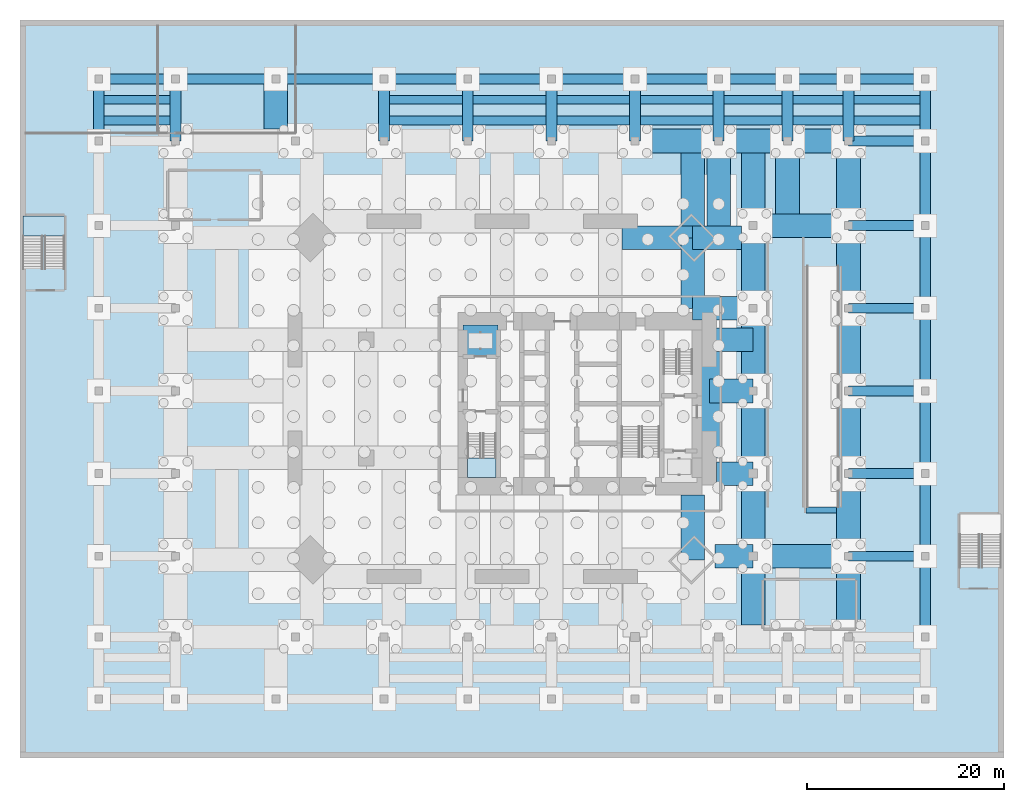
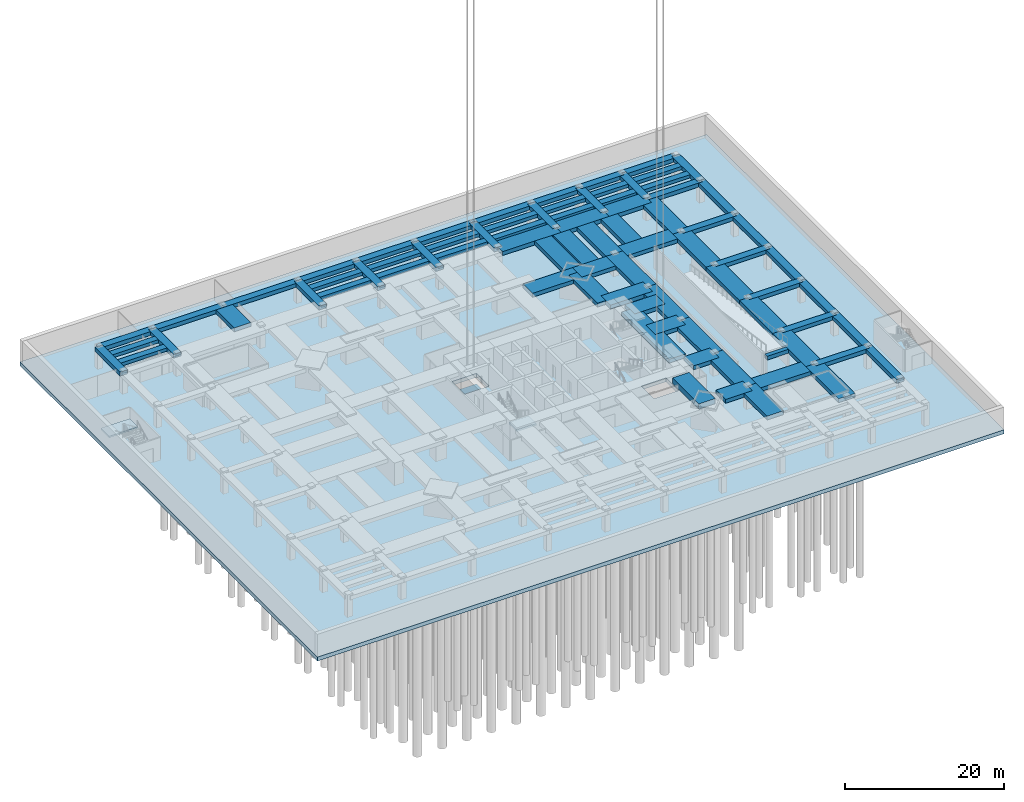
# One storey, part 5 of 15: 80 beams, 4 slabs, 2 elements without a shape of their own.
"""IFC4 building model written with IfcOpenShell, lengths in metres."""

from ifc_helpers import new_model, si_unit, direction, frame, origin, origin_2d, place, context, subcontext, project, spatial, polyline, rectangle, outline, extrude, material, layer, layer_set, material_profile, profile_set, type_object, element, aggregate, save


model = new_model("IFC4")

# Units and contexts
model_context = context("Model", 3, precision=1e-05, world=origin(), true_north=direction((0.0, 1.0)))
body_context = subcontext(model_context, "Body", "Model", "MODEL_VIEW")
ifc_project = project(units=[si_unit("LENGTHUNIT", "METRE"), si_unit("AREAUNIT", "SQUARE_METRE"), si_unit("VOLUMEUNIT", "CUBIC_METRE"), si_unit("PLANEANGLEUNIT", "RADIAN"), si_unit("MASSUNIT", "GRAM", prefix="KILO")], contexts=[model_context])

# Site, building, storey
site_placement = place(None, origin())
site = spatial("IfcSite", under=ifc_project, at=site_placement, CompositionType="ELEMENT")
building_placement = place(site_placement, origin())
building = spatial("IfcBuilding", under=site, at=building_placement, Name="Jalousie Tower", CompositionType="ELEMENT")
storey_placement = place(building_placement, frame((0.0, 0.0, -7.5)))
storey = spatial("IfcBuildingStorey", under=building, at=storey_placement, Name="B2", CompositionType="ELEMENT", Elevation=-7.5)

# Beams
ifc_material_1 = material(Name="Concrete f'c 40 MPa", Category="concrete")
ifc_material_profile_1 = material_profile(ifc_material_1, rectangle(XDim=1.0, YDim=0.60009765625, at=origin_2d()), Name="RC 1000x600")
ifc_profile_set_1 = profile_set([ifc_material_profile_1], Name="Concrete f'c 40 MPa")
beam_type_1 = type_object("IfcBeamType", Name="RC BEAM 1000x600", PredefinedType="BEAM", material=ifc_profile_set_1)
beam_1_placement = place(storey_placement, frame((-17.0, 51.5, 2.9599609375), z_axis=(1.0, 0.0, 0.0), x_axis=(0.0, 1.0, 0.0)))
element("IfcBeam", 1, at=beam_1_placement, inside=storey, type_object=beam_type_1, Name="Girder under B1 1-9 east-west", PredefinedType="BEAM", context=body_context, shape_type="SweptSolid", body=[
    extrude(rectangle(XDim=1.0, YDim=0.60009765625, at=origin_2d()), origin(), (0.0, 0.0, 1.0), 7.800048828125),
])
beam_2_placement = place(storey_placement, frame((-9.199951171875, 51.5, 2.9599609375), z_axis=(1.0, 0.0, 0.0), x_axis=(0.0, 1.0, 0.0)))
element("IfcBeam", 2, at=beam_2_placement, inside=storey, type_object=beam_type_1, Name="Girder under B1 2-9 east-west", PredefinedType="BEAM", context=body_context, shape_type="SweptSolid", body=[
    extrude(rectangle(XDim=1.0, YDim=0.60009765625, at=origin_2d()), origin(), (0.0, 0.0, 1.0), 10.199951171875),
])
beam_3_placement = place(storey_placement, frame((1.0, 51.5, 2.9599609375), z_axis=(1.0, 0.0, 0.0), x_axis=(0.0, 1.0, 0.0)))
element("IfcBeam", 3, at=beam_3_placement, inside=storey, type_object=beam_type_1, Name="Girder under B1 3-9 east-west", PredefinedType="BEAM", context=body_context, shape_type="SweptSolid", body=[
    extrude(rectangle(XDim=1.0, YDim=0.60009765625, at=origin_2d()), origin(), (0.0, 0.0, 1.0), 11.0),
])
for number, where, z_axis, x_axis, name in (
    (4, (12.0, 51.5, 2.9599609375), (1.0, 0.0, 0.0), (0.0, 1.0, 0.0), "Girder under B1 4-9 east-west"),
    (5, (20.5, 51.5, 2.9599609375), (1.0, 0.0, 0.0), (0.0, 1.0, 0.0), "Girder under B1 5-9 east-west"),
    (6, (29.0, 51.5, 2.9599609375), (1.0, 0.0, 0.0), (0.0, 1.0, 0.0), "Girder under B1 6-9 east-west"),
    (7, (37.5, 51.5, 2.9599609375), (1.0, 0.0, 0.0), (0.0, 1.0, 0.0), "Girder under B1 7-9 east-west"),
):
    element("IfcBeam", number, at=place(storey_placement, frame(where, z_axis=z_axis, x_axis=x_axis)), inside=storey, type_object=beam_type_1, Name=name, PredefinedType="BEAM", context=body_context, shape_type="SweptSolid", body=[
        extrude(rectangle(XDim=1.0, YDim=0.60009765625, at=origin_2d()), origin(), (0.0, 0.0, 1.0), 8.5),
    ])
beam_4_placement = place(storey_placement, frame((46.0, 51.5, 2.9599609375), z_axis=(1.0, 0.0, 0.0), x_axis=(0.0, 1.0, 0.0)))
element("IfcBeam", 8, at=beam_4_placement, inside=storey, type_object=beam_type_1, Name="Girder under B1 8-9 east-west", PredefinedType="BEAM", context=body_context, shape_type="SweptSolid", body=[
    extrude(rectangle(XDim=1.0, YDim=0.60009765625, at=origin_2d()), origin(), (0.0, 0.0, 1.0), 7.0),
])
beam_5_placement = place(storey_placement, frame((53.0, 51.5, 2.9599609375), z_axis=(1.0, 0.0, 0.0), x_axis=(0.0, 1.0, 0.0)))
element("IfcBeam", 9, at=beam_5_placement, inside=storey, type_object=beam_type_1, Name="Girder under B1 9-9 east-west", PredefinedType="BEAM", context=body_context, shape_type="SweptSolid", body=[
    extrude(rectangle(XDim=1.0, YDim=0.60009765625, at=origin_2d()), origin(), (0.0, 0.0, 1.0), 6.199951171875),
])
for number, where, z_axis, x_axis, name in (
    (10, (59.199951171875, 3.0, 2.9599609375), (1.0, 0.0, 0.0), (0.0, 1.0, 0.0), "Girder under B1 10-3 east-west"),
    (11, (59.199951171875, 11.39990234375, 2.9599609375), (1.0, 0.0, 0.0), (0.0, 1.0, 0.0), "Girder under B1 10-4 east-west"),
    (12, (59.199951171875, 19.800048828125, 2.9599609375), (1.0, 0.0, 0.0), (0.0, 1.0, 0.0), "Girder under B1 10-5 east-west"),
    (13, (59.199951171875, 28.199951171875, 2.9599609375), (1.0, 0.0, 0.0), (0.0, 1.0, 0.0), "Girder under B1 10-6 east-west"),
    (14, (59.199951171875, 36.60009765625, 2.9599609375), (1.0, 0.0, 0.0), (0.0, 1.0, 0.0), "Girder under B1 10-7 east-west"),
    (15, (59.199951171875, 45.199951171875, 2.9599609375), (1.0, 0.0, 0.0), (0.0, 1.0, 0.0), "Girder under B1 10-8 east-west"),
    (16, (59.199951171875, 51.5, 2.9599609375), (1.0, 0.0, 0.0), (0.0, 1.0, 0.0), "Girder under B1 10-9 east-west"),
):
    element("IfcBeam", number, at=place(storey_placement, frame(where, z_axis=z_axis, x_axis=x_axis)), inside=storey, type_object=beam_type_1, Name=name, PredefinedType="BEAM", context=body_context, shape_type="SweptSolid", body=[
        extrude(rectangle(XDim=1.0, YDim=0.60009765625, at=origin_2d()), origin(), (0.0, 0.0, 1.0), 7.800048828125),
    ])
ifc_material_2 = material(Name="Concrete f'c 40 MPa", Category="concrete")
ifc_material_profile_2 = material_profile(ifc_material_2, rectangle(XDim=1.10009765625, YDim=0.60009765625, at=origin_2d()), Name="RC 1100x600")
ifc_profile_set_2 = profile_set([ifc_material_profile_2], Name="Concrete f'c 40 MPa")
beam_type_2 = type_object("IfcBeamType", Name="RC BEAM 1100x600", PredefinedType="BEAM", material=ifc_profile_set_2)
for number, where, z_axis, x_axis, name in (
    (17, (-17.0, 45.199951171875, 2.9599609375), (0.0, 1.0, 0.0), (-1.0, 0.0, 0.0), "Girder under B1 1-8 north-south"),
    (18, (-9.199951171875, 45.199951171875, 2.9599609375), (0.0, 1.0, 0.0), (-1.0, 0.0, 0.0), "Girder under B1 2-8 north-south"),
    (19, (12.0, 45.199951171875, 2.9599609375), (0.0, 1.0, 0.0), (-1.0, 0.0, 0.0), "Girder under B1 4-8 north-south"),
    (20, (20.5, 45.199951171875, 2.9599609375), (0.0, 1.0, 0.0), (-1.0, 0.0, 0.0), "Girder under B1 5-8 north-south"),
    (21, (29.0, 45.199951171875, 2.9599609375), (0.0, 1.0, 0.0), (-1.0, 0.0, 0.0), "Girder under B1 6-8 north-south"),
    (22, (37.5, 45.199951171875, 2.9599609375), (0.0, 1.0, 0.0), (-1.0, 0.0, 0.0), "Girder under B1 7-8 north-south"),
    (23, (46.0, 45.199951171875, 2.9599609375), (0.0, 1.0, 0.0), (-1.0, 0.0, 0.0), "Girder under B1 8-8 north-south"),
    (24, (53.0, 45.199951171875, 2.9599609375), (0.0, 1.0, 0.0), (-1.0, 0.0, 0.0), "Girder under B1 9-8 north-south"),
    (25, (59.199951171875, 45.199951171875, 2.9599609375), (0.0, 1.0, 0.0), (-1.0, 0.0, 0.0), "Girder under B1 10-8 north-south"),
):
    element("IfcBeam", number, at=place(storey_placement, frame(where, z_axis=z_axis, x_axis=x_axis)), inside=storey, type_object=beam_type_2, Name=name, PredefinedType="BEAM", context=body_context, shape_type="SweptSolid", body=[
        extrude(rectangle(XDim=1.10009765625, YDim=0.60009765625, at=origin_2d()), origin(), (0.0, 0.0, 1.0), 6.300048828125),
    ])
beam_6_placement = place(storey_placement, frame((67.0, -5.199951171875, 2.9599609375), z_axis=(0.0, 1.0, 0.0), x_axis=(-1.0, 0.0, 0.0)))
element("IfcBeam", 26, at=beam_6_placement, inside=storey, type_object=beam_type_2, Name="Girder under B1 11-2 north-south", PredefinedType="BEAM", context=body_context, shape_type="SweptSolid", body=[
    extrude(rectangle(XDim=1.10009765625, YDim=0.60009765625, at=origin_2d()), origin(), (0.0, 0.0, 1.0), 8.199951171875),
])
beam_7_placement = place(storey_placement, frame((67.0, 3.0, 2.9599609375), z_axis=(0.0, 1.0, 0.0), x_axis=(-1.0, 0.0, 0.0)))
element("IfcBeam", 27, at=beam_7_placement, inside=storey, type_object=beam_type_2, Name="Girder under B1 11-3 north-south", PredefinedType="BEAM", context=body_context, shape_type="SweptSolid", body=[
    extrude(rectangle(XDim=1.10009765625, YDim=0.60009765625, at=origin_2d()), origin(), (0.0, 0.0, 1.0), 8.39990234375),
])
beam_8_placement = place(storey_placement, frame((67.0, 11.39990234375, 2.9599609375), z_axis=(0.0, 1.0, 0.0), x_axis=(-1.0, 0.0, 0.0)))
element("IfcBeam", 28, at=beam_8_placement, inside=storey, type_object=beam_type_2, Name="Girder under B1 11-4 north-south", PredefinedType="BEAM", context=body_context, shape_type="SweptSolid", body=[
    extrude(rectangle(XDim=1.10009765625, YDim=0.60009765625, at=origin_2d()), origin(), (0.0, 0.0, 1.0), 8.400146484375),
])
beam_9_placement = place(storey_placement, frame((67.0, 19.800048828125, 2.9599609375), z_axis=(0.0, 1.0, 0.0), x_axis=(-1.0, 0.0, 0.0)))
element("IfcBeam", 29, at=beam_9_placement, inside=storey, type_object=beam_type_2, Name="Girder under B1 11-5 north-south", PredefinedType="BEAM", context=body_context, shape_type="SweptSolid", body=[
    extrude(rectangle(XDim=1.10009765625, YDim=0.60009765625, at=origin_2d()), origin(), (0.0, 0.0, 1.0), 8.39990234375),
])
beam_10_placement = place(storey_placement, frame((67.0, 28.199951171875, 2.9599609375), z_axis=(0.0, 1.0, 0.0), x_axis=(-1.0, 0.0, 0.0)))
element("IfcBeam", 30, at=beam_10_placement, inside=storey, type_object=beam_type_2, Name="Girder under B1 11-6 north-south", PredefinedType="BEAM", context=body_context, shape_type="SweptSolid", body=[
    extrude(rectangle(XDim=1.10009765625, YDim=0.60009765625, at=origin_2d()), origin(), (0.0, 0.0, 1.0), 8.400146484375),
])
beam_11_placement = place(storey_placement, frame((67.0, 36.60009765625, 2.9599609375), z_axis=(0.0, 1.0, 0.0), x_axis=(-1.0, 0.0, 0.0)))
element("IfcBeam", 31, at=beam_11_placement, inside=storey, type_object=beam_type_2, Name="Girder under B1 11-7 north-south", PredefinedType="BEAM", context=body_context, shape_type="SweptSolid", body=[
    extrude(rectangle(XDim=1.10009765625, YDim=0.60009765625, at=origin_2d()), origin(), (0.0, 0.0, 1.0), 8.599853515625),
])
beam_12_placement = place(storey_placement, frame((67.0, 45.199951171875, 2.9599609375), z_axis=(0.0, 1.0, 0.0), x_axis=(-1.0, 0.0, 0.0)))
element("IfcBeam", 32, at=beam_12_placement, inside=storey, type_object=beam_type_2, Name="Girder under B1 11-8 north-south", PredefinedType="BEAM", context=body_context, shape_type="SweptSolid", body=[
    extrude(rectangle(XDim=1.10009765625, YDim=0.60009765625, at=origin_2d()), origin(), (0.0, 0.0, 1.0), 6.300048828125),
])
ifc_material_3 = material(Name="Concrete f'c 40 MPa", Category="concrete")
ifc_material_profile_3 = material_profile(ifc_material_3, rectangle(XDim=2.39990234375, YDim=0.60009765625, at=origin_2d()), Name="RC 2400x600")
ifc_profile_set_3 = profile_set([ifc_material_profile_3], Name="Concrete f'c 40 MPa")
beam_type_3 = type_object("IfcBeamType", Name="RC BEAM 2400x600", PredefinedType="BEAM", material=ifc_profile_set_3)
beam_13_placement = place(storey_placement, frame((45.050048828125, 13.0, 2.9599609375), z_axis=(0.0, 1.0, 0.0), x_axis=(-1.0, 0.0, 0.0)))
element("IfcBeam", 33, at=beam_13_placement, inside=storey, type_object=beam_type_3, Name="Floor band beam under B1", PredefinedType="BEAM", context=body_context, shape_type="SweptSolid", body=[
    extrude(rectangle(XDim=2.39990234375, YDim=0.60009765625, at=origin_2d()), origin(), (0.0, 0.0, 1.0), 12.0),
])
beam_14_placement = place(storey_placement, frame((37.5, 45.199951171875, 2.9599609375), z_axis=(1.0, 0.0, 0.0), x_axis=(0.0, 1.0, 0.0)))
element("IfcBeam", 34, at=beam_14_placement, inside=storey, type_object=beam_type_3, Name="Floor band beam under B1", PredefinedType="BEAM", context=body_context, shape_type="SweptSolid", body=[
    extrude(rectangle(XDim=2.39990234375, YDim=0.60009765625, at=origin_2d()), origin(), (0.0, 0.0, 1.0), 8.5),
])
beam_15_placement = place(storey_placement, frame((43.36865234375, 35.36865234375, 2.9599609375), z_axis=(0.0, -1.0, 0.0), x_axis=(1.0, 0.0, 0.0)))
element("IfcBeam", 35, at=beam_15_placement, inside=storey, type_object=beam_type_3, Name="Floor band beam under B1", PredefinedType="BEAM", context=body_context, shape_type="SweptSolid", body=[
    extrude(rectangle(XDim=2.39990234375, YDim=0.60009765625, at=origin_2d()), origin(), (0.0, 0.0, 1.0), 7.168701171875),
])
beam_16_placement = place(storey_placement, frame((46.0, 45.199951171875, 2.9599609375), z_axis=(1.0, 0.0, 0.0), x_axis=(0.0, 1.0, 0.0)))
element("IfcBeam", 36, at=beam_16_placement, inside=storey, type_object=beam_type_3, Name="Floor band beam under B1", PredefinedType="BEAM", context=body_context, shape_type="SweptSolid", body=[
    extrude(rectangle(XDim=2.39990234375, YDim=0.60009765625, at=origin_2d()), origin(), (0.0, 0.0, 1.0), 7.0),
])
beam_17_placement = place(storey_placement, frame((49.5, 3.0, 2.9599609375), z_axis=(1.0, 0.0, 0.0), x_axis=(0.0, 1.0, 0.0)))
element("IfcBeam", 37, at=beam_17_placement, inside=storey, type_object=beam_type_3, Name="Floor band beam under B1", PredefinedType="BEAM", context=body_context, shape_type="SweptSolid", body=[
    extrude(rectangle(XDim=2.39990234375, YDim=0.60009765625, at=origin_2d()), origin(), (0.0, 0.0, 1.0), 9.699951171875),
])
beam_18_placement = place(storey_placement, frame((49.5, 3.0, 2.9599609375), z_axis=(0.0, 1.0, 0.0), x_axis=(-1.0, 0.0, 0.0)))
element("IfcBeam", 38, at=beam_18_placement, inside=storey, type_object=beam_type_3, Name="Floor band beam under B1", PredefinedType="BEAM", context=body_context, shape_type="SweptSolid", body=[
    extrude(rectangle(XDim=2.39990234375, YDim=0.60009765625, at=origin_2d()), origin(), (0.0, 0.0, 1.0), 8.39990234375),
])
beam_19_placement = place(storey_placement, frame((49.5, 11.39990234375, 2.9599609375), z_axis=(-1.0, 0.0, 0.0), x_axis=(0.0, -1.0, 0.0)))
element("IfcBeam", 39, at=beam_19_placement, inside=storey, type_object=beam_type_3, Name="Floor band beam under B1", PredefinedType="BEAM", context=body_context, shape_type="SweptSolid", body=[
    extrude(rectangle(XDim=2.39990234375, YDim=0.60009765625, at=origin_2d()), origin(), (0.0, 0.0, 1.0), 3.72509765625),
])
beam_20_placement = place(storey_placement, frame((49.5, 11.39990234375, 2.9599609375), z_axis=(0.0, 1.0, 0.0), x_axis=(-1.0, 0.0, 0.0)))
element("IfcBeam", 40, at=beam_20_placement, inside=storey, type_object=beam_type_3, Name="Floor band beam under B1", PredefinedType="BEAM", context=body_context, shape_type="SweptSolid", body=[
    extrude(rectangle(XDim=2.39990234375, YDim=0.60009765625, at=origin_2d()), origin(), (0.0, 0.0, 1.0), 8.400146484375),
])
beam_21_placement = place(storey_placement, frame((49.5, 19.800048828125, 2.9599609375), z_axis=(-1.0, 0.0, 0.0), x_axis=(0.0, -1.0, 0.0)))
element("IfcBeam", 41, at=beam_21_placement, inside=storey, type_object=beam_type_3, Name="Floor band beam under B1", PredefinedType="BEAM", context=body_context, shape_type="SweptSolid", body=[
    extrude(rectangle(XDim=2.39990234375, YDim=0.60009765625, at=origin_2d()), origin(), (0.0, 0.0, 1.0), 4.449951171875),
])
beam_22_placement = place(storey_placement, frame((49.5, 19.800048828125, 2.9599609375), z_axis=(0.0, 1.0, 0.0), x_axis=(-1.0, 0.0, 0.0)))
element("IfcBeam", 42, at=beam_22_placement, inside=storey, type_object=beam_type_3, Name="Floor band beam under B1", PredefinedType="BEAM", context=body_context, shape_type="SweptSolid", body=[
    extrude(rectangle(XDim=2.39990234375, YDim=0.60009765625, at=origin_2d()), origin(), (0.0, 0.0, 1.0), 8.39990234375),
])
beam_23_placement = place(storey_placement, frame((49.5, 28.199951171875, 2.9599609375), z_axis=(0.0, 1.0, 0.0), x_axis=(-1.0, 0.0, 0.0)))
element("IfcBeam", 43, at=beam_23_placement, inside=storey, type_object=beam_type_3, Name="Floor band beam under B1", PredefinedType="BEAM", context=body_context, shape_type="SweptSolid", body=[
    extrude(rectangle(XDim=2.39990234375, YDim=0.60009765625, at=origin_2d()), origin(), (0.0, 0.0, 1.0), 8.400146484375),
])
beam_24_placement = place(storey_placement, frame((49.5, 36.60009765625, 2.9599609375), z_axis=(1.0, 0.0, 0.0), x_axis=(0.0, 1.0, 0.0)))
element("IfcBeam", 44, at=beam_24_placement, inside=storey, type_object=beam_type_3, Name="Floor band beam under B1", PredefinedType="BEAM", context=body_context, shape_type="SweptSolid", body=[
    extrude(rectangle(XDim=2.39990234375, YDim=0.60009765625, at=origin_2d()), origin(), (0.0, 0.0, 1.0), 9.699951171875),
])
beam_25_placement = place(storey_placement, frame((53.0, 45.199951171875, 2.9599609375), z_axis=(1.0, 0.0, 0.0), x_axis=(0.0, 1.0, 0.0)))
element("IfcBeam", 45, at=beam_25_placement, inside=storey, type_object=beam_type_3, Name="Floor band beam under B1", PredefinedType="BEAM", context=body_context, shape_type="SweptSolid", body=[
    extrude(rectangle(XDim=2.39990234375, YDim=0.60009765625, at=origin_2d()), origin(), (0.0, 0.0, 1.0), 6.199951171875),
])
beam_26_placement = place(storey_placement, frame((59.199951171875, -5.199951171875, 2.9599609375), z_axis=(0.0, 1.0, 0.0), x_axis=(-1.0, 0.0, 0.0)))
element("IfcBeam", 46, at=beam_26_placement, inside=storey, type_object=beam_type_3, Name="Floor band beam under B1", PredefinedType="BEAM", context=body_context, shape_type="SweptSolid", body=[
    extrude(rectangle(XDim=2.39990234375, YDim=0.60009765625, at=origin_2d()), origin(), (0.0, 0.0, 1.0), 8.199951171875),
])
beam_27_placement = place(storey_placement, frame((59.199951171875, 3.0, 2.9599609375), z_axis=(0.0, 1.0, 0.0), x_axis=(-1.0, 0.0, 0.0)))
element("IfcBeam", 47, at=beam_27_placement, inside=storey, type_object=beam_type_3, Name="Floor band beam under B1", PredefinedType="BEAM", context=body_context, shape_type="SweptSolid", body=[
    extrude(rectangle(XDim=2.39990234375, YDim=0.60009765625, at=origin_2d()), origin(), (0.0, 0.0, 1.0), 8.39990234375),
])
beam_28_placement = place(storey_placement, frame((59.199951171875, 11.39990234375, 2.9599609375), z_axis=(0.0, 1.0, 0.0), x_axis=(-1.0, 0.0, 0.0)))
element("IfcBeam", 48, at=beam_28_placement, inside=storey, type_object=beam_type_3, Name="Floor band beam under B1", PredefinedType="BEAM", context=body_context, shape_type="SweptSolid", body=[
    extrude(rectangle(XDim=2.39990234375, YDim=0.60009765625, at=origin_2d()), origin(), (0.0, 0.0, 1.0), 8.400146484375),
])
beam_29_placement = place(storey_placement, frame((59.199951171875, 19.800048828125, 2.9599609375), z_axis=(0.0, 1.0, 0.0), x_axis=(-1.0, 0.0, 0.0)))
element("IfcBeam", 49, at=beam_29_placement, inside=storey, type_object=beam_type_3, Name="Floor band beam under B1", PredefinedType="BEAM", context=body_context, shape_type="SweptSolid", body=[
    extrude(rectangle(XDim=2.39990234375, YDim=0.60009765625, at=origin_2d()), origin(), (0.0, 0.0, 1.0), 8.39990234375),
])
beam_30_placement = place(storey_placement, frame((59.199951171875, 28.199951171875, 2.9599609375), z_axis=(0.0, 1.0, 0.0), x_axis=(-1.0, 0.0, 0.0)))
element("IfcBeam", 50, at=beam_30_placement, inside=storey, type_object=beam_type_3, Name="Floor band beam under B1", PredefinedType="BEAM", context=body_context, shape_type="SweptSolid", body=[
    extrude(rectangle(XDim=2.39990234375, YDim=0.60009765625, at=origin_2d()), origin(), (0.0, 0.0, 1.0), 8.400146484375),
])
beam_31_placement = place(storey_placement, frame((59.199951171875, 36.60009765625, 2.9599609375), z_axis=(0.0, 1.0, 0.0), x_axis=(-1.0, 0.0, 0.0)))
element("IfcBeam", 51, at=beam_31_placement, inside=storey, type_object=beam_type_3, Name="Floor band beam under B1", PredefinedType="BEAM", context=body_context, shape_type="SweptSolid", body=[
    extrude(rectangle(XDim=2.39990234375, YDim=0.60009765625, at=origin_2d()), origin(), (0.0, 0.0, 1.0), 8.599853515625),
])
beam_32_placement = place(storey_placement, frame((1.0, 51.5, 2.9599609375), z_axis=(0.0, -1.0, 0.0), x_axis=(1.0, 0.0, 0.0)))
element("IfcBeam", 52, at=beam_32_placement, inside=storey, type_object=beam_type_3, Name="Floor band beam under B1", PredefinedType="BEAM", context=body_context, shape_type="SweptSolid", body=[
    extrude(rectangle(XDim=2.39990234375, YDim=0.60009765625, at=origin_2d()), origin(), (0.0, 0.0, 1.0), 5.10009765625),
])
beam_33_placement = place(storey_placement, frame((43.36865234375, 35.36865234375, 2.9599609375), z_axis=(1.0, 0.0, 0.0), x_axis=(0.0, 1.0, 0.0)))
element("IfcBeam", 53, at=beam_33_placement, inside=storey, type_object=beam_type_3, Name="Floor band beam under B1", PredefinedType="BEAM", context=body_context, shape_type="SweptSolid", body=[
    extrude(rectangle(XDim=2.39990234375, YDim=0.60009765625, at=origin_2d()), origin(), (0.0, 0.0, 1.0), 4.931396484375),
])
beam_34_placement = place(storey_placement, frame((43.36865234375, 35.36865234375, 2.9599609375), z_axis=(-1.0, 0.0, 0.0), x_axis=(0.0, -1.0, 0.0)))
element("IfcBeam", 54, at=beam_34_placement, inside=storey, type_object=beam_type_3, Name="Floor band beam under B1", PredefinedType="BEAM", context=body_context, shape_type="SweptSolid", body=[
    extrude(rectangle(XDim=2.39990234375, YDim=0.60009765625, at=origin_2d()), origin(), (0.0, 0.0, 1.0), 7.168701171875),
])
beam_35_placement = place(storey_placement, frame((43.36865234375, 35.36865234375, 2.9599609375), z_axis=(0.0, 1.0, 0.0), x_axis=(-1.0, 0.0, 0.0)))
element("IfcBeam", 55, at=beam_35_placement, inside=storey, type_object=beam_type_3, Name="Floor band beam under B1", PredefinedType="BEAM", context=body_context, shape_type="SweptSolid", body=[
    extrude(rectangle(XDim=2.39990234375, YDim=0.60009765625, at=origin_2d()), origin(), (0.0, 0.0, 1.0), 8.63134765625),
])
beam_36_placement = place(storey_placement, frame((45.050048828125, 25.0, 2.9599609375), z_axis=(1.0, 0.0, 0.0), x_axis=(0.0, 1.0, 0.0)))
element("IfcBeam", 56, at=beam_36_placement, inside=storey, type_object=beam_type_3, Name="Floor band beam under B1", PredefinedType="BEAM", context=body_context, shape_type="SweptSolid", body=[
    extrude(rectangle(XDim=2.39990234375, YDim=0.60009765625, at=origin_2d()), origin(), (0.0, 0.0, 1.0), 4.449951171875),
])
beam_37_placement = place(storey_placement, frame((46.0, 45.199951171875, 2.9599609375), z_axis=(0.0, -1.0, 0.0), x_axis=(1.0, 0.0, 0.0)))
element("IfcBeam", 57, at=beam_37_placement, inside=storey, type_object=beam_type_3, Name="Floor band beam under B1", PredefinedType="BEAM", context=body_context, shape_type="SweptSolid", body=[
    extrude(rectangle(XDim=2.39990234375, YDim=0.60009765625, at=origin_2d()), origin(), (0.0, 0.0, 1.0), 8.63134765625),
])
beam_38_placement = place(storey_placement, frame((49.5, 3.0, 2.9599609375), z_axis=(-1.0, 0.0, 0.0), x_axis=(0.0, -1.0, 0.0)))
element("IfcBeam", 58, at=beam_38_placement, inside=storey, type_object=beam_type_3, Name="Floor band beam under B1", PredefinedType="BEAM", context=body_context, shape_type="SweptSolid", body=[
    extrude(rectangle(XDim=2.39990234375, YDim=0.60009765625, at=origin_2d()), origin(), (0.0, 0.0, 1.0), 3.8837890625),
])
beam_39_placement = place(storey_placement, frame((49.5, 3.0, 2.9599609375), z_axis=(0.0, -1.0, 0.0), x_axis=(1.0, 0.0, 0.0)))
element("IfcBeam", 59, at=beam_39_placement, inside=storey, type_object=beam_type_3, Name="Floor band beam under B1", PredefinedType="BEAM", context=body_context, shape_type="SweptSolid", body=[
    extrude(rectangle(XDim=2.39990234375, YDim=0.60009765625, at=origin_2d()), origin(), (0.0, 0.0, 1.0), 7.0),
])
beam_40_placement = place(storey_placement, frame((49.5, 28.199951171875, 2.9599609375), z_axis=(-1.0, 0.0, 0.0), x_axis=(0.0, -1.0, 0.0)))
element("IfcBeam", 60, at=beam_40_placement, inside=storey, type_object=beam_type_3, Name="Floor band beam under B1", PredefinedType="BEAM", context=body_context, shape_type="SweptSolid", body=[
    extrude(rectangle(XDim=2.39990234375, YDim=0.60009765625, at=origin_2d()), origin(), (0.0, 0.0, 1.0), 6.13134765625),
])
for number, where, z_axis, x_axis, name in (
    (61, (49.5, 36.60009765625, 2.9599609375), (0.0, 1.0, 0.0), (-1.0, 0.0, 0.0), "Floor band beam under B1"),
    (62, (53.0, 45.199951171875, 2.9599609375), (0.0, -1.0, 0.0), (1.0, 0.0, 0.0), "Floor band beam under B1"),
):
    element("IfcBeam", number, at=place(storey_placement, frame(where, z_axis=z_axis, x_axis=x_axis)), inside=storey, type_object=beam_type_3, Name=name, PredefinedType="BEAM", context=body_context, shape_type="SweptSolid", body=[
        extrude(rectangle(XDim=2.39990234375, YDim=0.60009765625, at=origin_2d()), origin(), (0.0, 0.0, 1.0), 7.39990234375),
    ])
ifc_material_4 = material(Name="Concrete f'c 40 MPa", Category="concrete")
ifc_material_profile_4 = material_profile(ifc_material_4, rectangle(XDim=2.39990234375, YDim=0.800048828125, at=origin_2d()), Name="RC 2400x800")
ifc_profile_set_4 = profile_set([ifc_material_profile_4], Name="Concrete f'c 40 MPa")
beam_type_4 = type_object("IfcBeamType", Name="RC BEAM 2400x800", PredefinedType="BEAM", material=ifc_profile_set_4)
beam_41_placement = place(storey_placement, frame((43.36865234375, 2.63134765625, 2.860107421875), z_axis=(0.0, 1.0, 0.0), x_axis=(-1.0, 0.0, 0.0)))
element("IfcBeam", 63, at=beam_41_placement, inside=storey, type_object=beam_type_4, Name="Floor band beam under B1", PredefinedType="BEAM", context=body_context, shape_type="SweptSolid", body=[
    extrude(rectangle(XDim=2.39990234375, YDim=0.800048828125, at=origin_2d()), origin(), (0.0, 0.0, 1.0), 6.61865234375),
])
ifc_material_5 = material(Name="Concrete f'c 40 MPa", Category="concrete")
ifc_material_profile_5 = material_profile(ifc_material_5, rectangle(XDim=0.60009765625, YDim=0.60009765625, at=origin_2d()), Name="RC 600x600")
ifc_profile_set_5 = profile_set([ifc_material_profile_5], Name="Concrete f'c 40 MPa")
beam_type_5 = type_object("IfcBeamType", Name="RC BEAM 600x600", PredefinedType="BEAM", material=ifc_profile_set_5)
beam_42_placement = place(storey_placement, frame((54.89990234375, 7.699951171875, 2.9599609375), z_axis=(1.0, 0.0, 0.0), x_axis=(0.0, 1.0, 0.0)))
element("IfcBeam", 64, at=beam_42_placement, inside=storey, type_object=beam_type_5, Name="Ramp head beam 2", PredefinedType="BEAM", context=body_context, shape_type="SweptSolid", body=[
    extrude(rectangle(XDim=0.60009765625, YDim=0.60009765625, at=origin_2d()), origin(), (0.0, 0.0, 1.0), 3.10009765625),
])
ifc_material_6 = material(Name="Concrete f'c 40 MPa", Category="concrete")
ifc_material_profile_6 = material_profile(ifc_material_6, rectangle(XDim=0.89990234375, YDim=0.5, at=origin_2d()), Name="RC 900x500")
ifc_profile_set_6 = profile_set([ifc_material_profile_6], Name="Concrete f'c 40 MPa")
beam_type_6 = type_object("IfcBeamType", Name="RC BEAM 900x500", PredefinedType="BEAM", material=ifc_profile_set_6)
for number, where, z_axis, x_axis, name in (
    (65, (-16.449951171875, 47.300048828125, 3.010009765625), (1.0, 0.0, 0.0), (0.0, 1.0, 0.0), "Secondary beam 1 under B1 bay 1-8"),
    (66, (-16.449951171875, 49.39990234375, 3.010009765625), (1.0, 0.0, 0.0), (0.0, 1.0, 0.0), "Secondary beam 2 under B1 bay 1-8"),
):
    element("IfcBeam", number, at=place(storey_placement, frame(where, z_axis=z_axis, x_axis=x_axis)), inside=storey, type_object=beam_type_6, Name=name, PredefinedType="BEAM", context=body_context, shape_type="SweptSolid", body=[
        extrude(rectangle(XDim=0.89990234375, YDim=0.5, at=origin_2d()), origin(), (0.0, 0.0, 1.0), 6.699951171875),
    ])
for number, where, z_axis, x_axis, name in (
    (67, (12.550048828125, 47.300048828125, 3.010009765625), (1.0, 0.0, 0.0), (0.0, 1.0, 0.0), "Secondary beam 1 under B1 bay 4-8"),
    (68, (12.550048828125, 49.39990234375, 3.010009765625), (1.0, 0.0, 0.0), (0.0, 1.0, 0.0), "Secondary beam 2 under B1 bay 4-8"),
    (69, (21.050048828125, 47.300048828125, 3.010009765625), (1.0, 0.0, 0.0), (0.0, 1.0, 0.0), "Secondary beam 1 under B1 bay 5-8"),
    (70, (21.050048828125, 49.39990234375, 3.010009765625), (1.0, 0.0, 0.0), (0.0, 1.0, 0.0), "Secondary beam 2 under B1 bay 5-8"),
    (71, (29.550048828125, 47.300048828125, 3.010009765625), (1.0, 0.0, 0.0), (0.0, 1.0, 0.0), "Secondary beam 1 under B1 bay 6-8"),
    (72, (29.550048828125, 49.39990234375, 3.010009765625), (1.0, 0.0, 0.0), (0.0, 1.0, 0.0), "Secondary beam 2 under B1 bay 6-8"),
    (73, (38.050048828125, 47.300048828125, 3.010009765625), (1.0, 0.0, 0.0), (0.0, 1.0, 0.0), "Secondary beam 1 under B1 bay 7-8"),
    (74, (38.050048828125, 49.39990234375, 3.010009765625), (1.0, 0.0, 0.0), (0.0, 1.0, 0.0), "Secondary beam 2 under B1 bay 7-8"),
):
    element("IfcBeam", number, at=place(storey_placement, frame(where, z_axis=z_axis, x_axis=x_axis)), inside=storey, type_object=beam_type_6, Name=name, PredefinedType="BEAM", context=body_context, shape_type="SweptSolid", body=[
        extrude(rectangle(XDim=0.89990234375, YDim=0.5, at=origin_2d()), origin(), (0.0, 0.0, 1.0), 7.39990234375),
    ])
for number, where, z_axis, x_axis, name in (
    (75, (46.550048828125, 47.300048828125, 3.010009765625), (1.0, 0.0, 0.0), (0.0, 1.0, 0.0), "Secondary beam 1 under B1 bay 8-8"),
    (76, (46.550048828125, 49.39990234375, 3.010009765625), (1.0, 0.0, 0.0), (0.0, 1.0, 0.0), "Secondary beam 2 under B1 bay 8-8"),
):
    element("IfcBeam", number, at=place(storey_placement, frame(where, z_axis=z_axis, x_axis=x_axis)), inside=storey, type_object=beam_type_6, Name=name, PredefinedType="BEAM", context=body_context, shape_type="SweptSolid", body=[
        extrude(rectangle(XDim=0.89990234375, YDim=0.5, at=origin_2d()), origin(), (0.0, 0.0, 1.0), 5.89990234375),
    ])
for number, where, z_axis, x_axis, name in (
    (77, (53.550048828125, 47.300048828125, 3.010009765625), (1.0, 0.0, 0.0), (0.0, 1.0, 0.0), "Secondary beam 1 under B1 bay 9-8"),
    (78, (53.550048828125, 49.39990234375, 3.010009765625), (1.0, 0.0, 0.0), (0.0, 1.0, 0.0), "Secondary beam 2 under B1 bay 9-8"),
):
    element("IfcBeam", number, at=place(storey_placement, frame(where, z_axis=z_axis, x_axis=x_axis)), inside=storey, type_object=beam_type_6, Name=name, PredefinedType="BEAM", context=body_context, shape_type="SweptSolid", body=[
        extrude(rectangle(XDim=0.89990234375, YDim=0.5, at=origin_2d()), origin(), (0.0, 0.0, 1.0), 5.099853515625),
    ])
for number, where, z_axis, x_axis, name in (
    (79, (59.75, 47.300048828125, 3.010009765625), (1.0, 0.0, 0.0), (0.0, 1.0, 0.0), "Secondary beam 1 under B1 bay 10-8"),
    (80, (59.75, 49.39990234375, 3.010009765625), (1.0, 0.0, 0.0), (0.0, 1.0, 0.0), "Secondary beam 2 under B1 bay 10-8"),
):
    element("IfcBeam", number, at=place(storey_placement, frame(where, z_axis=z_axis, x_axis=x_axis)), inside=storey, type_object=beam_type_6, Name=name, PredefinedType="BEAM", context=body_context, shape_type="SweptSolid", body=[
        extrude(rectangle(XDim=0.89990234375, YDim=0.5, at=origin_2d()), origin(), (0.0, 0.0, 1.0), 6.699951171875),
    ])

# Slabs
ifc_material_7 = material(Name="Concrete f'c 40 MPa", Category="concrete")
ifc_layer_1 = layer(ifc_material_7, 0.60009765625)
ifc_layer_set_1 = layer_set([ifc_layer_1], Name="Concrete f'c 40 MPa")
slab_type_1 = type_object("IfcSlabType", Name="BASE SLAB 600", PredefinedType="BASESLAB", material=ifc_layer_set_1)
slab_1_placement = place(storey_placement, frame((0.0, 0.0, -0.60009765625)))
element("IfcSlab", 81, at=slab_1_placement, inside=storey, type_object=slab_type_1, Name="B2 base slab", PredefinedType="BASESLAB", context=body_context, shape_type="SweptSolid", body=[
    extrude(outline(polyline([(-25.0, -17.5), (75.0, -17.5), (75.0, 57.5), (-25.0, 57.5), (-25.0, -17.5)]), holes=[polyline([(20.0, 23.300048828125), (23.60009765625, 23.300048828125), (23.60009765625, 26.5), (20.0, 26.5), (20.0, 23.300048828125)]), polyline([(40.199951171875, 10.5), (43.800048828125, 10.5), (43.800048828125, 13.699951171875), (40.199951171875, 13.699951171875), (40.199951171875, 10.5)])]), origin(), (0.0, 0.0, 1.0), 0.60009765625),
])
ifc_material_8 = material(Name="Concrete f'c 40 MPa", Category="concrete")
ifc_layer_2 = layer(ifc_material_8, 2.0)
ifc_layer_set_2 = layer_set([ifc_layer_2], Name="Concrete f'c 40 MPa")
slab_type_2 = type_object("IfcSlabType", Name="LIFT PIT PLUG 2000", PredefinedType="BASESLAB", material=ifc_layer_set_2)
slab_2_placement = place(storey_placement, frame((0.0, 0.0, -3.60009765625)))
element("IfcSlab", 82, at=slab_2_placement, inside=storey, type_object=slab_type_2, Name="Lift F1 pit base", PredefinedType="BASESLAB", context=body_context, shape_type="SweptSolid", body=[
    extrude(outline(polyline([(20.0, 23.300048828125), (23.60009765625, 23.300048828125), (23.60009765625, 26.5), (20.0, 26.5), (20.0, 23.300048828125)])), origin(), (0.0, 0.0, 1.0), 2.0),
])

# Stair, slab
ifc_material_9 = material(Name="Concrete f'c 40 MPa", Category="concrete")
stair_type_1 = type_object("IfcStairType", Name="EXIT STAIR", PredefinedType="HALF_TURN_STAIR", material=ifc_material_9)
stair_1_placement = place(storey_placement, origin())
stair_1 = element("IfcStair", 83, at=stair_1_placement, inside=storey, type_object=stair_type_1, Name="Exit stair A B2", PredefinedType="HALF_TURN_STAIR")
ifc_material_10 = material(Name="Concrete f'c 40 MPa", Category="concrete")
ifc_layer_3 = layer(ifc_material_10, 0.25)
ifc_layer_set_3 = layer_set([ifc_layer_3], Name="Concrete f'c 40 MPa")
slab_type_3 = type_object("IfcSlabType", Name="STAIR LANDING 250", PredefinedType="LANDING", material=ifc_layer_set_3)
slab_3_placement = place(storey_placement, frame((0.0, 0.0, 1.5)))
slab_3 = element("IfcSlab", 84, at=slab_3_placement, type_object=slab_type_3, Name="ST-A landing 1", PredefinedType="LANDING", context=body_context, shape_type="SweptSolid", body=[
    extrude(outline(polyline([(20.5, 11.0), (23.375, 11.0), (23.375, 12.9775390625), (20.5, 12.9775390625), (20.5, 11.0)])), origin(), (0.0, 0.0, 1.0), 0.25),
])
aggregate(stair_1, [slab_3])

ifc_material_11 = material(Name="Concrete f'c 40 MPa", Category="concrete")
stair_type_2 = type_object("IfcStairType", Name="WIDE EXIT STAIR", PredefinedType="HALF_TURN_STAIR", material=ifc_material_11)
stair_2_placement = place(storey_placement, origin())
stair_2 = element("IfcStair", 85, at=stair_2_placement, inside=storey, type_object=stair_type_2, Name="Exit stair BS1 B2", PredefinedType="HALF_TURN_STAIR")
slab_4_placement = place(storey_placement, frame((0.0, 0.0, 1.5)))
slab_4 = element("IfcSlab", 86, at=slab_4_placement, type_object=slab_type_3, Name="BS1 landing 1", PredefinedType="LANDING", context=body_context, shape_type="SweptSolid", body=[
    extrude(outline(polyline([(-24.699951171875, 35.530029296875), (-20.5, 35.530029296875), (-20.5, 37.60009765625), (-24.699951171875, 37.60009765625), (-24.699951171875, 35.530029296875)])), origin(), (0.0, 0.0, 1.0), 0.25),
])
aggregate(stair_2, [slab_4])

save(model, "model.ifc")
